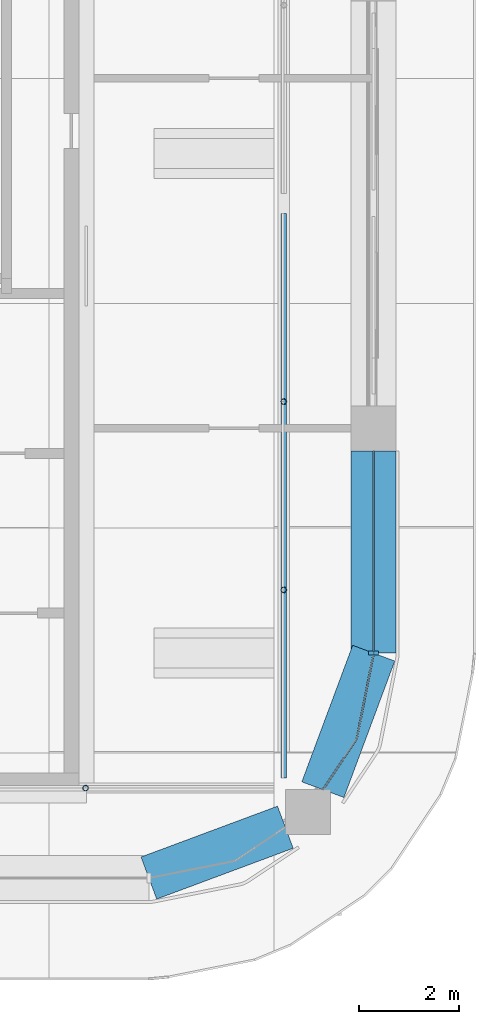
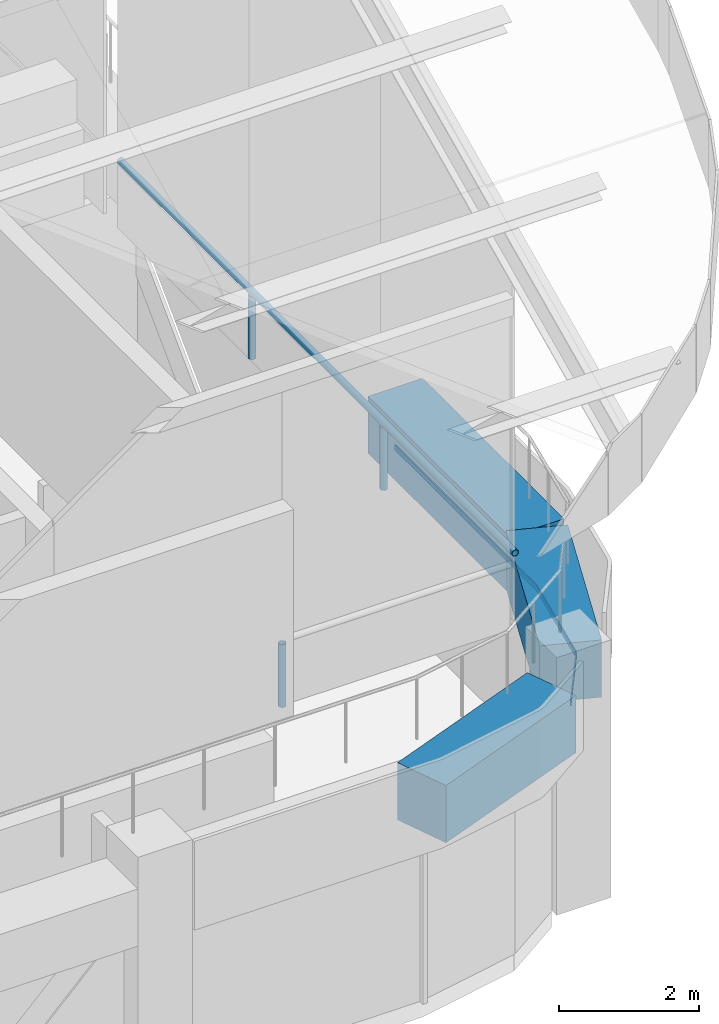
# One storey, part 17 of 31: 6 members, 3 beams, 1 element without a shape of its own.
"""IFC4 building model written with IfcOpenShell, lengths in metres."""

from ifc_helpers import new_model, si_unit, direction, frame, origin, origin_2d, place, context, subcontext, project, spatial, polyline, rectangle, hollow_circle, outline, extrude, material, material_profile, profile_set, type_object, element, aggregate, save


model = new_model("IFC4")

# Units and contexts
model_context = context("Model", 3, precision=1e-05, world=origin(), true_north=direction((0.0, 1.0)))
body_context = subcontext(model_context, "Body", "Model", "MODEL_VIEW")
ifc_project = project(units=[si_unit("LENGTHUNIT", "METRE"), si_unit("AREAUNIT", "SQUARE_METRE"), si_unit("VOLUMEUNIT", "CUBIC_METRE"), si_unit("PLANEANGLEUNIT", "RADIAN"), si_unit("MASSUNIT", "GRAM", prefix="KILO")], contexts=[model_context])

# Site, building, storey
site_placement = place(None, origin())
site = spatial("IfcSite", under=ifc_project, at=site_placement, CompositionType="ELEMENT")
building_placement = place(site_placement, origin())
building = spatial("IfcBuilding", under=site, at=building_placement, Name="Tessera Arch", CompositionType="ELEMENT")
storey_placement = place(building_placement, frame((0.0, 0.0, 320.699951171875)))
storey = spatial("IfcBuildingStorey", under=building, at=storey_placement, Name="L77", CompositionType="ELEMENT", Elevation=320.699951171875)

# Curtain wall, members
ifc_material_1 = material(Name="CW2 curtain wall")
curtain_wall_type = type_object("IfcCurtainWallType", Name="CW2 curtain wall", PredefinedType="NOTDEFINED", material=ifc_material_1)
curtain_wall_placement = place(storey_placement, origin())
curtain_wall = element("IfcCurtainWall", 1, at=curtain_wall_placement, inside=storey, type_object=curtain_wall_type, Name="CW2 curtain wall E54.27/2 L77", PredefinedType="NOTDEFINED")
ifc_material_2 = material(Name="Anodised aluminium pale metal", Category="aluminium")
ifc_material_profile_1 = material_profile(ifc_material_2, rectangle(XDim=0.199951171875, YDim=0.080078125, at=origin_2d()), Name="AL 80x200")
ifc_profile_set_1 = profile_set([ifc_material_profile_1], Name="Anodised aluminium pale metal")
member_type_1 = type_object("IfcMemberType", Name="CW2 mullion", PredefinedType="MULLION", material=ifc_profile_set_1)
member_1_placement = place(storey_placement, frame((54.0, 31.5, 0.0), z_axis=(0.0, 0.0, 1.0), x_axis=(-1.0, 0.0, 0.0)))
member_1 = element("IfcMember", 2, at=member_1_placement, type_object=member_type_1, Name="CW2 mullion E54.27/2 1", PredefinedType="MULLION", context=body_context, shape_type="SweptSolid", body=[
    extrude(rectangle(XDim=0.199951171875, YDim=0.080078125, at=origin_2d()), origin(), (0.0, 0.0, 1.0), 2.85009765625),
])
ifc_material_3 = material(Name="Anodised aluminium pale metal", Category="aluminium")
ifc_material_profile_2 = material_profile(ifc_material_3, rectangle(XDim=0.199951171875, YDim=0.10009765625, at=origin_2d()), Name="AL 200x100")
ifc_profile_set_2 = profile_set([ifc_material_profile_2], Name="Anodised aluminium pale metal")
member_type_2 = type_object("IfcMemberType", Name="CW2 transom", PredefinedType="USERDEFINED", material=ifc_profile_set_2)
member_2_placement = place(storey_placement, frame((0.0, 0.0, 2.85009765625)))
member_2 = element("IfcMember", 3, at=member_2_placement, type_object=member_type_2, Name="CW2 transom E54.27/2 1", ObjectType="TRANSOM", PredefinedType="USERDEFINED", context=body_context, shape_type="SweptSolid", body=[
    extrude(outline(polyline([(53.648193359375, 29.78173828125), (52.974365234375, 28.7734375), (52.990966796875, 28.762451171875), (53.6669921875, 29.77392578125), (54.010009765625, 31.4990234375), (54.010009765625, 35.550048828125), (53.989990234375, 35.550048828125), (53.989990234375, 31.5009765625), (53.648193359375, 29.78173828125)])), origin(), (0.0, 0.0, 1.0), 0.099853515625),
])
aggregate(curtain_wall, [member_1, member_2])

# Members
ifc_material_4 = material(Name="Steel A500 Gr C", Category="steel")
ifc_material_profile_3 = material_profile(ifc_material_4, hollow_circle(Radius=0.056884765625, WallThickness=0.006103515625, at=origin_2d()), Name="Crown parapet post CHS114x6")
ifc_profile_set_3 = profile_set([ifc_material_profile_3], Name="Steel A500 Gr C")
member_type_3 = type_object("IfcMemberType", Name="Crown parapet post CHS114x6", PredefinedType="POST", material=ifc_profile_set_3)
for number, where, z_axis, x_axis, name in (
    (4, (48.2333984375, 28.800048828125, 4.5), (0.0, 0.0, 1.0), (1.0, 0.0, 0.0), "CROWN parapet post S3-2"),
    (5, (52.199951171875, 32.7666015625, 4.5), (0.0, 0.0, 1.0), (1.0, 0.0, 0.0), "CROWN parapet post E9-1"),
    (6, (52.199951171875, 36.533203125, 4.5), (0.0, 0.0, 1.0), (1.0, 0.0, 0.0), "CROWN parapet post E9-2"),
):
    element("IfcMember", number, at=place(storey_placement, frame(where, z_axis=z_axis, x_axis=x_axis)), inside=storey, type_object=member_type_3, Name=name, PredefinedType="POST", context=body_context, shape_type="SweptSolid", body=[
        extrude(hollow_circle(Radius=0.056884765625, WallThickness=0.006103515625, at=origin_2d()), origin(), (0.0, 0.0, 1.0), 1.10009765625),
    ])
ifc_material_5 = material(Name="Steel A500 Gr C", Category="steel")
ifc_material_profile_4 = material_profile(ifc_material_5, hollow_circle(Radius=0.056884765625, WallThickness=0.006103515625, at=origin_2d()), Name="Crown trellis rail CHS114x6")
ifc_profile_set_4 = profile_set([ifc_material_profile_4], Name="Steel A500 Gr C")
member_type_4 = type_object("IfcMemberType", Name="Crown trellis rail CHS114x6", PredefinedType="STRINGER", material=ifc_profile_set_4)
member_3_placement = place(storey_placement, frame((52.199951171875, 29.0, 5.656982421875), z_axis=(0.0, 1.0, 0.0), x_axis=(-1.0, 0.0, 0.0)))
element("IfcMember", 7, at=member_3_placement, inside=storey, type_object=member_type_4, Name="CROWN trellis rail E9", PredefinedType="STRINGER", context=body_context, shape_type="SweptSolid", body=[
    extrude(hollow_circle(Radius=0.056884765625, WallThickness=0.006103515625, at=origin_2d()), origin(), (0.0, 0.0, 1.0), 11.300048828125),
])

# Beams
ifc_material_6 = material(Name="Concrete C50/60", Category="concrete")
ifc_material_profile_5 = material_profile(ifc_material_6, rectangle(XDim=0.89990234375, YDim=1.0, at=origin_2d()), Name="RC spandrel beam 900 x 1000 Concrete C50/60")
ifc_profile_set_5 = profile_set([ifc_material_profile_5], Name="Concrete C50/60")
beam_type = type_object("IfcBeamType", Name="RC spandrel beam 900 x 1000 Concrete C50/60", PredefinedType="BEAM", material=ifc_profile_set_5)
for number, where, z_axis, x_axis, name in (
    (8, (49.5, 27.0, 3.449951171875), (0.937132065211, 0.348974916509, 0.0), (-0.348974916509, 0.937132065211, 0.0), "Spandrel beam L77 S27.18/3.2"),
    (9, (52.982666015625, 28.76806640625, 3.449951171875), (0.348974916509, 0.937132065211, 0.0), (-0.937132065211, 0.348974916509, 0.0), "Spandrel beam L77 E54.27/2.1"),
):
    element("IfcBeam", number, at=place(storey_placement, frame(where, z_axis=z_axis, x_axis=x_axis)), inside=storey, type_object=beam_type, Name=name, PredefinedType="BEAM", context=body_context, shape_type="SweptSolid", body=[
        extrude(rectangle(XDim=0.89990234375, YDim=1.0, at=origin_2d()), origin(), (0.0, 0.0, 1.0), 2.915283203125),
    ])
beam_placement = place(storey_placement, frame((54.0, 31.5, 3.449951171875), z_axis=(0.0, 1.0, 0.0), x_axis=(-1.0, 0.0, 0.0)))
element("IfcBeam", 10, at=beam_placement, inside=storey, type_object=beam_type, Name="Spandrel beam L77 E54.27/2.2", PredefinedType="BEAM", context=body_context, shape_type="SweptSolid", body=[
    extrude(rectangle(XDim=0.89990234375, YDim=1.0, at=origin_2d()), origin(), (0.0, 0.0, 1.0), 4.050048828125),
])

save(model, "model.ifc")
